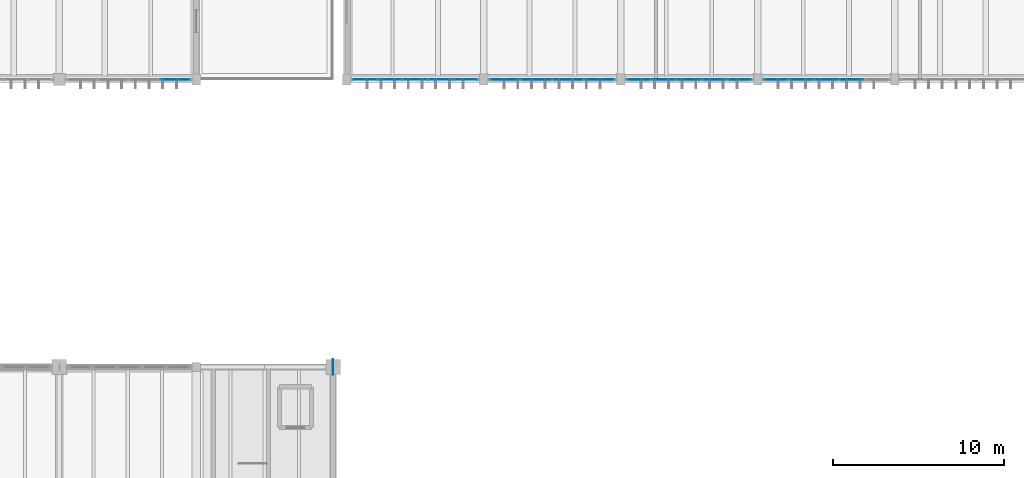
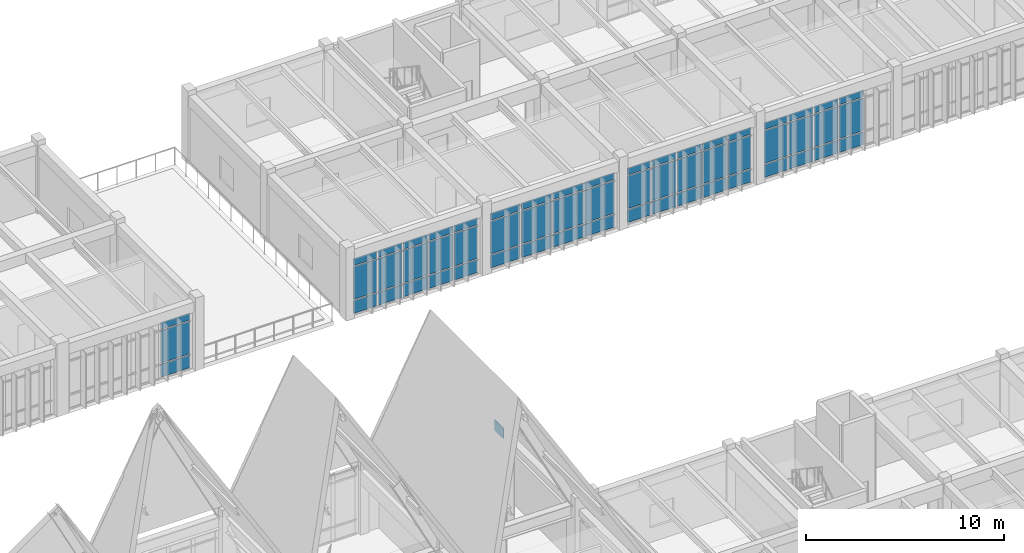
# One storey, part 38 of 72: 58 plates, 5 elements without a shape of their own.
"""IFC4 building model written with IfcOpenShell, lengths in metres."""

import ifcopenshell
import ifcopenshell.guid

model = None  # the IFC model being written
_history = None  # IfcOwnerHistory: only IFC2X3 demands one
_inside = {}  # id of a spatial element -> (the spatial element, [elements in it])
_under = {}  # id of a project, library or spatial element -> (it, [spatial elements below it])
_declared = {}  # id of a project -> (the project, [libraries it declares])
_typed = {}  # id of a type object -> (the type object, [elements of that type])
_made_of = {}  # id of a material, layer set ... -> (it, [elements and type objects made of it])


def new_model(schema):
    """Start an empty IFC model of exactly this schema.

    Asked for "IFC4X3", IfcOpenShell would pick the latest addendum, in which some entities
    have other attributes; the version numbers below select the first issue.
    IFC2X3 requires an IfcOwnerHistory on every rooted entity: one is made here for all.
    """
    global model, _history
    if schema == "IFC4X3":
        model = ifcopenshell.file(schema_version=(4, 3, 0, 0))
    else:
        model = ifcopenshell.file(schema=schema)
    _inside.clear()
    _under.clear()
    _declared.clear()
    _typed.clear()
    _made_of.clear()
    _history = None
    if model.schema == "IFC2X3":
        org = make("IfcOrganization", Name="unknown")
        user = make(
            "IfcPersonAndOrganization",
            ThePerson=make("IfcPerson", FamilyName="unknown"),
            TheOrganization=org,
        )
        app = make(
            "IfcApplication",
            ApplicationDeveloper=org,
            Version="unknown",
            ApplicationFullName="unknown",
            ApplicationIdentifier="unknown",
        )
        _history = make(
            "IfcOwnerHistory",
            OwningUser=user,
            OwningApplication=app,
            ChangeAction="ADDED",
            CreationDate=0,
        )
    return model


def make(cls, **values):
    """One entity of the class cls with the attributes given. An attribute that is None is left unset."""
    return model.create_entity(
        cls, **{name: value for name, value in values.items() if value is not None}
    )


def rooted(cls, **values):
    """An entity with a GlobalId (a new one), such as an element, a storey or a relation."""
    return make(cls, GlobalId=ifcopenshell.guid.new(), OwnerHistory=_history, **values)


def si_unit(unit_type, name, prefix=None):
    """IfcSIUnit, for example si_unit("LENGTHUNIT", "METRE", prefix="MILLI")."""
    return make("IfcSIUnit", UnitType=unit_type, Prefix=prefix, Name=name)


def assignment(units):
    """IfcUnitAssignment: the units of a project."""
    return None if units is None else make("IfcUnitAssignment", Units=units)


def point(xyz):
    """IfcCartesianPoint."""
    return None if xyz is None else make("IfcCartesianPoint", Coordinates=xyz)


def direction(xyz):
    """IfcDirection."""
    return None if xyz is None else make("IfcDirection", DirectionRatios=xyz)


def frame(location, z_axis=None, x_axis=None):
    """IfcAxis2Placement3D, a coordinate frame: its origin and axes. An axis left out is left unset."""
    return make(
        "IfcAxis2Placement3D",
        Location=point(location),
        Axis=direction(z_axis),
        RefDirection=direction(x_axis),
    )


def frame_2d(location, x_axis=None):
    """IfcAxis2Placement2D, a coordinate frame in the plane: its origin and x axis."""
    return make(
        "IfcAxis2Placement2D", Location=point(location), RefDirection=direction(x_axis)
    )


def origin():
    """The frame at (0, 0, 0) with its axes left unset."""
    return frame((0.0, 0.0, 0.0))


def origin_2d():
    """The frame at (0, 0) in the plane with its x axis left unset."""
    return frame_2d((0.0, 0.0))


def place(relative_to, where):
    """IfcLocalPlacement: puts the frame where relative to a parent placement (None: the world)."""
    return make(
        "IfcLocalPlacement", PlacementRelTo=relative_to, RelativePlacement=where
    )


def context(
    kind, dimensions, precision=None, world=None, true_north=None, identifier=None
):
    """IfcGeometricRepresentationContext, for example the 3D "Model" context."""
    return make(
        "IfcGeometricRepresentationContext",
        ContextIdentifier=identifier,
        ContextType=kind,
        CoordinateSpaceDimension=dimensions,
        Precision=precision,
        WorldCoordinateSystem=world,
        TrueNorth=true_north,
    )


def subcontext(parent, identifier, kind, view, scale=None):
    """IfcGeometricRepresentationSubContext, for example "Body" below "Model"."""
    return make(
        "IfcGeometricRepresentationSubContext",
        ContextIdentifier=identifier,
        ContextType=kind,
        ParentContext=parent,
        TargetScale=scale,
        TargetView=view,
    )


def project(units=None, contexts=None):
    """IfcProject with its units and contexts."""
    return rooted(
        "IfcProject",
        Name="project",
        RepresentationContexts=contexts,
        UnitsInContext=assignment(units),
    )


def spatial(cls, under=None, at=None, **own):
    """A site, building, storey or space (cls), placed at a placement, below another one or the project."""
    s = rooted(cls, ObjectPlacement=at, **own)
    if under is not None:
        _under.setdefault(under.id(), (under, []))[1].append(s)
    return s


def profile(cls, at=None, kind="AREA", **sizes):
    """A parametric profile (cls). Its sizes go by their IFC names, for example OverallWidth=200.0."""
    return make(cls, ProfileType=kind, Position=at, **sizes)


def rectangle(**sizes):
    """IfcRectangleProfileDef."""
    return profile("IfcRectangleProfileDef", **sizes)


def extrude(swept, where, along, depth):
    """IfcExtrudedAreaSolid: the profile swept, set in the frame where, extruded along a direction by depth."""
    return make(
        "IfcExtrudedAreaSolid",
        SweptArea=swept,
        Position=where,
        ExtrudedDirection=direction(along),
        Depth=depth,
    )


def shape(context_of_items, identifier, shape_type, items):
    """IfcShapeRepresentation: the items that make up one representation, for example the "Body"."""
    return make(
        "IfcShapeRepresentation",
        ContextOfItems=context_of_items,
        RepresentationIdentifier=identifier,
        RepresentationType=shape_type,
        Items=items,
    )


def material(Name=None, Category=None):
    """IfcMaterial."""
    return make("IfcMaterial", Name=Name, Category=Category)


def layer(
    of_material, thickness, ventilated=None, Name=None, Category=None, Priority=None
):
    """IfcMaterialLayer: one layer of a wall or slab, of a material (None: an air gap)."""
    return make(
        "IfcMaterialLayer",
        Material=of_material,
        LayerThickness=thickness,
        IsVentilated=ventilated,
        Name=Name,
        Category=Category,
        Priority=Priority,
    )


def layer_set(layers, Name=None):
    """IfcMaterialLayerSet."""
    return make("IfcMaterialLayerSet", MaterialLayers=layers, LayerSetName=Name)


def made_of(thing, what):
    """Note that an element or type object is made of a material, layer set ...; save() writes the relation."""
    if what is not None:
        _made_of.setdefault(what.id(), (what, []))[1].append(thing)
    return thing


def type_object(cls, material=None, **own):
    """A type object (cls), such as IfcWallType, which elements share."""
    return made_of(rooted(cls, **own), material)


def element(
    cls,
    number,
    at=None,
    inside=None,
    cuts=None,
    type_object=None,
    material=None,
    context=None,
    identifier="Body",
    shape_type=None,
    held_by="IfcProductDefinitionShape",
    body=None,
    shapes=None,
    **own,
):
    """One element of the class cls, such as IfcWall. Its Tag is "e" and its number.

    at: its placement. inside: the storey or other place that contains it. cuts: it is an
    opening in that element (IfcRelVoidsElement). A single representation is given by context,
    identifier, shape_type and body (its items); several are given by shapes. held_by: the class
    of the entity that holds the representations. save() writes the other relations.
    """
    e = rooted(cls, Tag="e%d" % number, ObjectPlacement=at, **own)
    if body is not None:
        shapes = [shape(context, identifier, shape_type, body)]
    if shapes is not None:
        e.Representation = make(held_by, Representations=shapes)
    if inside is not None:
        _inside.setdefault(inside.id(), (inside, []))[1].append(e)
    if cuts is not None:
        rooted(
            "IfcRelVoidsElement", RelatingBuildingElement=cuts, RelatedOpeningElement=e
        )
    if type_object is not None:
        _typed.setdefault(type_object.id(), (type_object, []))[1].append(e)
    return made_of(e, material)


def aggregate(whole, parts):
    """IfcRelAggregates: a whole, such as a stair, and the parts it consists of."""
    return rooted("IfcRelAggregates", RelatingObject=whole, RelatedObjects=parts)


def save(model, path):
    """Write the relations noted so far, then the file.

    IfcRelAggregates (storeys below a building ...), IfcRelContainedInSpatialStructure (elements
    in a storey), IfcRelDefinesByType, IfcRelAssociatesMaterial and IfcRelDeclares: one each for
    every whole, place, type object, material and project.
    """
    for whole, parts in _under.values():
        aggregate(whole, parts)
    for where, things in _inside.values():
        rooted(
            "IfcRelContainedInSpatialStructure",
            RelatedElements=things,
            RelatingStructure=where,
        )
    for kind, things in _typed.values():
        rooted("IfcRelDefinesByType", RelatedObjects=things, RelatingType=kind)
    for what, things in _made_of.values():
        rooted("IfcRelAssociatesMaterial", RelatedObjects=things, RelatingMaterial=what)
    for by, libraries in _declared.values():
        rooted("IfcRelDeclares", RelatingContext=by, RelatedDefinitions=libraries)
    model.write(path)


model = new_model("IFC4")

# Units and contexts
model_context = context("Model", 3, precision=1e-05, world=origin(), true_north=direction((0.0, 1.0)))
body_context = subcontext(model_context, "Body", "Model", "MODEL_VIEW")
ifc_project = project(units=[si_unit("LENGTHUNIT", "METRE"), si_unit("AREAUNIT", "SQUARE_METRE"), si_unit("VOLUMEUNIT", "CUBIC_METRE"), si_unit("PLANEANGLEUNIT", "RADIAN"), si_unit("MASSUNIT", "GRAM", prefix="KILO")], contexts=[model_context])

# Site, building, storey
site_placement = place(None, origin())
site = spatial("IfcSite", under=ifc_project, at=site_placement, CompositionType="ELEMENT")
building_placement = place(site_placement, origin())
building = spatial("IfcBuilding", under=site, at=building_placement, Name="Tlaxcora Railside Police Headquarters", CompositionType="ELEMENT")
storey_placement = place(building_placement, frame((0.0, 0.0, 13.5)))
storey = spatial("IfcBuildingStorey", under=building, at=storey_placement, Name="L03", CompositionType="ELEMENT", Elevation=13.5)

# Curtain wall, plates
ifc_material_1 = material(Name="Thermally broken low-E insulated glazing", Category="glass")
curtain_wall_type_1 = type_object("IfcCurtainWallType", Name="Unitised Curtain Wall Assembly CW-23", PredefinedType="NOTDEFINED", material=ifc_material_1)
curtain_wall_1_placement = place(storey_placement, origin())
curtain_wall_1 = element("IfcCurtainWall", 1, at=curtain_wall_1_placement, inside=storey, type_object=curtain_wall_type_1, Name="V6 L03 curtain wall 164", PredefinedType="NOTDEFINED")
ifc_layer_1 = layer(ifc_material_1, 0.0400390625, Name="Thermally broken low-E insulated glazing")
ifc_layer_set_1 = layer_set([ifc_layer_1], Name="Thermally broken low-E insulated glazing")
plate_type_1 = type_object("IfcPlateType", Name="Curtain Wall Infill Panel CW-17", PredefinedType="CURTAIN_PANEL", material=ifc_layer_set_1)
plate_1_placement = place(storey_placement, frame((119.860107421875, 76.800048828125, 0.080078125), z_axis=(0.0, 0.0, 1.0), x_axis=(1.0, 0.0, 0.0)))
plate_1 = element("IfcPlate", 2, at=plate_1_placement, type_object=plate_type_1, Name="CW panel 1.1", PredefinedType="CURTAIN_PANEL", context=body_context, shape_type="SweptSolid", body=[
    extrude(rectangle(XDim=1.360107421875, YDim=0.0400390625, at=origin_2d()), origin(), (0.0, 0.0, 1.0), 0.780029296875),
])
plate_2_placement = place(storey_placement, frame((119.860107421875, 76.800048828125, 0.93994140625), z_axis=(0.0, 0.0, 1.0), x_axis=(1.0, 0.0, 0.0)))
plate_2 = element("IfcPlate", 3, at=plate_2_placement, type_object=plate_type_1, Name="CW panel 1.2", PredefinedType="CURTAIN_PANEL", context=body_context, shape_type="SweptSolid", body=[
    extrude(rectangle(XDim=1.360107421875, YDim=0.0400390625, at=origin_2d()), origin(), (0.0, 0.0, 1.0), 2.010009765625),
])
plate_3_placement = place(storey_placement, frame((119.860107421875, 76.800048828125, 3.0302734375), z_axis=(0.0, 0.0, 1.0), x_axis=(1.0, 0.0, 0.0)))
plate_3 = element("IfcPlate", 4, at=plate_3_placement, type_object=plate_type_1, Name="CW panel 1.3", PredefinedType="CURTAIN_PANEL", context=body_context, shape_type="SweptSolid", body=[
    extrude(rectangle(XDim=1.360107421875, YDim=0.0400390625, at=origin_2d()), origin(), (0.0, 0.0, 1.0), 0.409912109375),
])
plate_4_placement = place(storey_placement, frame((121.320068359375, 76.800048828125, 0.080078125), z_axis=(0.0, 0.0, 1.0), x_axis=(1.0, 0.0, 0.0)))
plate_4 = element("IfcPlate", 5, at=plate_4_placement, type_object=plate_type_1, Name="CW panel 2.1", PredefinedType="CURTAIN_PANEL", context=body_context, shape_type="SweptSolid", body=[
    extrude(rectangle(XDim=1.39990234375, YDim=0.0400390625, at=origin_2d()), origin(), (0.0, 0.0, 1.0), 0.780029296875),
])
plate_5_placement = place(storey_placement, frame((121.320068359375, 76.800048828125, 0.93994140625), z_axis=(0.0, 0.0, 1.0), x_axis=(1.0, 0.0, 0.0)))
plate_5 = element("IfcPlate", 6, at=plate_5_placement, type_object=plate_type_1, Name="CW panel 2.2", PredefinedType="CURTAIN_PANEL", context=body_context, shape_type="SweptSolid", body=[
    extrude(rectangle(XDim=1.39990234375, YDim=0.0400390625, at=origin_2d()), origin(), (0.0, 0.0, 1.0), 2.010009765625),
])
plate_6_placement = place(storey_placement, frame((121.320068359375, 76.800048828125, 3.0302734375), z_axis=(0.0, 0.0, 1.0), x_axis=(1.0, 0.0, 0.0)))
plate_6 = element("IfcPlate", 7, at=plate_6_placement, type_object=plate_type_1, Name="CW panel 2.3", PredefinedType="CURTAIN_PANEL", context=body_context, shape_type="SweptSolid", body=[
    extrude(rectangle(XDim=1.39990234375, YDim=0.0400390625, at=origin_2d()), origin(), (0.0, 0.0, 1.0), 0.409912109375),
])
plate_7_placement = place(storey_placement, frame((122.800048828125, 76.800048828125, 0.080078125), z_axis=(0.0, 0.0, 1.0), x_axis=(1.0, 0.0, 0.0)))
plate_7 = element("IfcPlate", 8, at=plate_7_placement, type_object=plate_type_1, Name="CW panel 3.1", PredefinedType="CURTAIN_PANEL", context=body_context, shape_type="SweptSolid", body=[
    extrude(rectangle(XDim=1.39990234375, YDim=0.0400390625, at=origin_2d()), origin(), (0.0, 0.0, 1.0), 0.780029296875),
])
plate_8_placement = place(storey_placement, frame((122.800048828125, 76.800048828125, 0.93994140625), z_axis=(0.0, 0.0, 1.0), x_axis=(1.0, 0.0, 0.0)))
plate_8 = element("IfcPlate", 9, at=plate_8_placement, type_object=plate_type_1, Name="CW panel 3.2", PredefinedType="CURTAIN_PANEL", context=body_context, shape_type="SweptSolid", body=[
    extrude(rectangle(XDim=1.39990234375, YDim=0.0400390625, at=origin_2d()), origin(), (0.0, 0.0, 1.0), 2.010009765625),
])
plate_9_placement = place(storey_placement, frame((122.800048828125, 76.800048828125, 3.0302734375), z_axis=(0.0, 0.0, 1.0), x_axis=(1.0, 0.0, 0.0)))
plate_9 = element("IfcPlate", 10, at=plate_9_placement, type_object=plate_type_1, Name="CW panel 3.3", PredefinedType="CURTAIN_PANEL", context=body_context, shape_type="SweptSolid", body=[
    extrude(rectangle(XDim=1.39990234375, YDim=0.0400390625, at=origin_2d()), origin(), (0.0, 0.0, 1.0), 0.409912109375),
])
plate_10_placement = place(storey_placement, frame((124.280029296875, 76.800048828125, 0.080078125), z_axis=(0.0, 0.0, 1.0), x_axis=(1.0, 0.0, 0.0)))
plate_10 = element("IfcPlate", 11, at=plate_10_placement, type_object=plate_type_1, Name="CW panel 4.1", PredefinedType="CURTAIN_PANEL", context=body_context, shape_type="SweptSolid", body=[
    extrude(rectangle(XDim=1.39990234375, YDim=0.0400390625, at=origin_2d()), origin(), (0.0, 0.0, 1.0), 0.780029296875),
])
plate_11_placement = place(storey_placement, frame((124.280029296875, 76.800048828125, 0.93994140625), z_axis=(0.0, 0.0, 1.0), x_axis=(1.0, 0.0, 0.0)))
plate_11 = element("IfcPlate", 12, at=plate_11_placement, type_object=plate_type_1, Name="CW panel 4.2", PredefinedType="CURTAIN_PANEL", context=body_context, shape_type="SweptSolid", body=[
    extrude(rectangle(XDim=1.39990234375, YDim=0.0400390625, at=origin_2d()), origin(), (0.0, 0.0, 1.0), 2.010009765625),
])
plate_12_placement = place(storey_placement, frame((124.280029296875, 76.800048828125, 3.0302734375), z_axis=(0.0, 0.0, 1.0), x_axis=(1.0, 0.0, 0.0)))
plate_12 = element("IfcPlate", 13, at=plate_12_placement, type_object=plate_type_1, Name="CW panel 4.3", PredefinedType="CURTAIN_PANEL", context=body_context, shape_type="SweptSolid", body=[
    extrude(rectangle(XDim=1.39990234375, YDim=0.0400390625, at=origin_2d()), origin(), (0.0, 0.0, 1.0), 0.409912109375),
])
plate_13_placement = place(storey_placement, frame((125.739990234375, 76.800048828125, 0.080078125), z_axis=(0.0, 0.0, 1.0), x_axis=(1.0, 0.0, 0.0)))
plate_13 = element("IfcPlate", 14, at=plate_13_placement, type_object=plate_type_1, Name="CW panel 5.1", PredefinedType="CURTAIN_PANEL", context=body_context, shape_type="SweptSolid", body=[
    extrude(rectangle(XDim=1.360107421875, YDim=0.0400390625, at=origin_2d()), origin(), (0.0, 0.0, 1.0), 0.780029296875),
])
plate_14_placement = place(storey_placement, frame((125.739990234375, 76.800048828125, 0.93994140625), z_axis=(0.0, 0.0, 1.0), x_axis=(1.0, 0.0, 0.0)))
plate_14 = element("IfcPlate", 15, at=plate_14_placement, type_object=plate_type_1, Name="CW panel 5.2", PredefinedType="CURTAIN_PANEL", context=body_context, shape_type="SweptSolid", body=[
    extrude(rectangle(XDim=1.360107421875, YDim=0.0400390625, at=origin_2d()), origin(), (0.0, 0.0, 1.0), 2.010009765625),
])
plate_15_placement = place(storey_placement, frame((125.739990234375, 76.800048828125, 3.0302734375), z_axis=(0.0, 0.0, 1.0), x_axis=(1.0, 0.0, 0.0)))
plate_15 = element("IfcPlate", 16, at=plate_15_placement, type_object=plate_type_1, Name="CW panel 5.3", PredefinedType="CURTAIN_PANEL", context=body_context, shape_type="SweptSolid", body=[
    extrude(rectangle(XDim=1.360107421875, YDim=0.0400390625, at=origin_2d()), origin(), (0.0, 0.0, 1.0), 0.409912109375),
])
aggregate(curtain_wall_1, [plate_1, plate_2, plate_3, plate_4, plate_5, plate_6, plate_7, plate_8, plate_9, plate_10, plate_11, plate_12, plate_13, plate_14, plate_15])

curtain_wall_type_2 = type_object("IfcCurtainWallType", Name="Unitised Curtain Wall Assembly CW-15", PredefinedType="NOTDEFINED", material=ifc_material_1)
curtain_wall_2_placement = place(storey_placement, origin())
curtain_wall_2 = element("IfcCurtainWall", 17, at=curtain_wall_2_placement, inside=storey, type_object=curtain_wall_type_2, Name="V6 L03 curtain wall 162", PredefinedType="NOTDEFINED")
ifc_layer_2 = layer(ifc_material_1, 0.031982421875, Name="Thermally broken low-E insulated glazing")
ifc_layer_set_2 = layer_set([ifc_layer_2], Name="Thermally broken low-E insulated glazing")
plate_type_2 = type_object("IfcPlateType", Name="Curtain Wall Infill Panel CW-41", PredefinedType="CURTAIN_PANEL", material=ifc_layer_set_2)
plate_16_placement = place(storey_placement, frame((103.858642578125, 76.800048828125, 0.074951171875), z_axis=(0.0, 0.0, 1.0), x_axis=(1.0, 0.0, 0.0)))
plate_16 = element("IfcPlate", 18, at=plate_16_placement, type_object=plate_type_2, Name="CW panel 1.1", PredefinedType="CURTAIN_PANEL", context=body_context, shape_type="SweptSolid", body=[
    extrude(rectangle(XDim=1.367431640625, YDim=0.031982421875, at=origin_2d()), origin(), (0.0, 0.0, 1.0), 0.78759765625),
])
plate_17_placement = place(storey_placement, frame((103.858642578125, 76.800048828125, 0.9375), z_axis=(0.0, 0.0, 1.0), x_axis=(1.0, 0.0, 0.0)))
plate_17 = element("IfcPlate", 19, at=plate_17_placement, type_object=plate_type_2, Name="CW panel 1.2", PredefinedType="CURTAIN_PANEL", context=body_context, shape_type="SweptSolid", body=[
    extrude(rectangle(XDim=1.367431640625, YDim=0.031982421875, at=origin_2d()), origin(), (0.0, 0.0, 1.0), 2.014892578125),
])
plate_18_placement = place(storey_placement, frame((103.858642578125, 76.800048828125, 3.027587890625), z_axis=(0.0, 0.0, 1.0), x_axis=(1.0, 0.0, 0.0)))
plate_18 = element("IfcPlate", 20, at=plate_18_placement, type_object=plate_type_2, Name="CW panel 1.3", PredefinedType="CURTAIN_PANEL", context=body_context, shape_type="SweptSolid", body=[
    extrude(rectangle(XDim=1.367431640625, YDim=0.031982421875, at=origin_2d()), origin(), (0.0, 0.0, 1.0), 0.41748046875),
])
plate_19_placement = place(storey_placement, frame((105.320068359375, 76.800048828125, 0.074951171875), z_axis=(0.0, 0.0, 1.0), x_axis=(1.0, 0.0, 0.0)))
plate_19 = element("IfcPlate", 21, at=plate_19_placement, type_object=plate_type_2, Name="CW panel 2.1", PredefinedType="CURTAIN_PANEL", context=body_context, shape_type="SweptSolid", body=[
    extrude(rectangle(XDim=1.405029296875, YDim=0.031982421875, at=origin_2d()), origin(), (0.0, 0.0, 1.0), 0.78759765625),
])
plate_20_placement = place(storey_placement, frame((105.320068359375, 76.800048828125, 0.9375), z_axis=(0.0, 0.0, 1.0), x_axis=(1.0, 0.0, 0.0)))
plate_20 = element("IfcPlate", 22, at=plate_20_placement, type_object=plate_type_2, Name="CW panel 2.2", PredefinedType="CURTAIN_PANEL", context=body_context, shape_type="SweptSolid", body=[
    extrude(rectangle(XDim=1.405029296875, YDim=0.031982421875, at=origin_2d()), origin(), (0.0, 0.0, 1.0), 2.014892578125),
])
plate_21_placement = place(storey_placement, frame((105.320068359375, 76.800048828125, 3.027587890625), z_axis=(0.0, 0.0, 1.0), x_axis=(1.0, 0.0, 0.0)))
plate_21 = element("IfcPlate", 23, at=plate_21_placement, type_object=plate_type_2, Name="CW panel 2.3", PredefinedType="CURTAIN_PANEL", context=body_context, shape_type="SweptSolid", body=[
    extrude(rectangle(XDim=1.405029296875, YDim=0.031982421875, at=origin_2d()), origin(), (0.0, 0.0, 1.0), 0.41748046875),
])
plate_22_placement = place(storey_placement, frame((106.800048828125, 76.800048828125, 0.074951171875), z_axis=(0.0, 0.0, 1.0), x_axis=(1.0, 0.0, 0.0)))
plate_22 = element("IfcPlate", 24, at=plate_22_placement, type_object=plate_type_2, Name="CW panel 3.1", PredefinedType="CURTAIN_PANEL", context=body_context, shape_type="SweptSolid", body=[
    extrude(rectangle(XDim=1.405029296875, YDim=0.031982421875, at=origin_2d()), origin(), (0.0, 0.0, 1.0), 0.78759765625),
])
plate_23_placement = place(storey_placement, frame((106.800048828125, 76.800048828125, 0.9375), z_axis=(0.0, 0.0, 1.0), x_axis=(1.0, 0.0, 0.0)))
plate_23 = element("IfcPlate", 25, at=plate_23_placement, type_object=plate_type_2, Name="CW panel 3.2", PredefinedType="CURTAIN_PANEL", context=body_context, shape_type="SweptSolid", body=[
    extrude(rectangle(XDim=1.405029296875, YDim=0.031982421875, at=origin_2d()), origin(), (0.0, 0.0, 1.0), 2.014892578125),
])
plate_24_placement = place(storey_placement, frame((106.800048828125, 76.800048828125, 3.027587890625), z_axis=(0.0, 0.0, 1.0), x_axis=(1.0, 0.0, 0.0)))
plate_24 = element("IfcPlate", 26, at=plate_24_placement, type_object=plate_type_2, Name="CW panel 3.3", PredefinedType="CURTAIN_PANEL", context=body_context, shape_type="SweptSolid", body=[
    extrude(rectangle(XDim=1.405029296875, YDim=0.031982421875, at=origin_2d()), origin(), (0.0, 0.0, 1.0), 0.41748046875),
])
plate_25_placement = place(storey_placement, frame((108.280029296875, 76.800048828125, 0.074951171875), z_axis=(0.0, 0.0, 1.0), x_axis=(1.0, 0.0, 0.0)))
plate_25 = element("IfcPlate", 27, at=plate_25_placement, type_object=plate_type_2, Name="CW panel 4.1", PredefinedType="CURTAIN_PANEL", context=body_context, shape_type="SweptSolid", body=[
    extrude(rectangle(XDim=1.405029296875, YDim=0.031982421875, at=origin_2d()), origin(), (0.0, 0.0, 1.0), 0.78759765625),
])
plate_26_placement = place(storey_placement, frame((108.280029296875, 76.800048828125, 0.9375), z_axis=(0.0, 0.0, 1.0), x_axis=(1.0, 0.0, 0.0)))
plate_26 = element("IfcPlate", 28, at=plate_26_placement, type_object=plate_type_2, Name="CW panel 4.2", PredefinedType="CURTAIN_PANEL", context=body_context, shape_type="SweptSolid", body=[
    extrude(rectangle(XDim=1.405029296875, YDim=0.031982421875, at=origin_2d()), origin(), (0.0, 0.0, 1.0), 2.014892578125),
])
plate_27_placement = place(storey_placement, frame((108.280029296875, 76.800048828125, 3.027587890625), z_axis=(0.0, 0.0, 1.0), x_axis=(1.0, 0.0, 0.0)))
plate_27 = element("IfcPlate", 29, at=plate_27_placement, type_object=plate_type_2, Name="CW panel 4.3", PredefinedType="CURTAIN_PANEL", context=body_context, shape_type="SweptSolid", body=[
    extrude(rectangle(XDim=1.405029296875, YDim=0.031982421875, at=origin_2d()), origin(), (0.0, 0.0, 1.0), 0.41748046875),
])
plate_28_placement = place(storey_placement, frame((109.7412109375, 76.800048828125, 0.074951171875), z_axis=(0.0, 0.0, 1.0), x_axis=(1.0, 0.0, 0.0)))
plate_28 = element("IfcPlate", 30, at=plate_28_placement, type_object=plate_type_2, Name="CW panel 5.1", PredefinedType="CURTAIN_PANEL", context=body_context, shape_type="SweptSolid", body=[
    extrude(rectangle(XDim=1.367431640625, YDim=0.031982421875, at=origin_2d()), origin(), (0.0, 0.0, 1.0), 0.78759765625),
])
plate_29_placement = place(storey_placement, frame((109.7412109375, 76.800048828125, 0.9375), z_axis=(0.0, 0.0, 1.0), x_axis=(1.0, 0.0, 0.0)))
plate_29 = element("IfcPlate", 31, at=plate_29_placement, type_object=plate_type_2, Name="CW panel 5.2", PredefinedType="CURTAIN_PANEL", context=body_context, shape_type="SweptSolid", body=[
    extrude(rectangle(XDim=1.367431640625, YDim=0.031982421875, at=origin_2d()), origin(), (0.0, 0.0, 1.0), 2.014892578125),
])
plate_30_placement = place(storey_placement, frame((109.7412109375, 76.800048828125, 3.027587890625), z_axis=(0.0, 0.0, 1.0), x_axis=(1.0, 0.0, 0.0)))
plate_30 = element("IfcPlate", 32, at=plate_30_placement, type_object=plate_type_2, Name="CW panel 5.3", PredefinedType="CURTAIN_PANEL", context=body_context, shape_type="SweptSolid", body=[
    extrude(rectangle(XDim=1.367431640625, YDim=0.031982421875, at=origin_2d()), origin(), (0.0, 0.0, 1.0), 0.41748046875),
])
aggregate(curtain_wall_2, [plate_16, plate_17, plate_18, plate_19, plate_20, plate_21, plate_22, plate_23, plate_24, plate_25, plate_26, plate_27, plate_28, plate_29, plate_30])

curtain_wall_type_3 = type_object("IfcCurtainWallType", Name="Unitised Curtain Wall Assembly CW-83", PredefinedType="NOTDEFINED", material=ifc_material_1)
curtain_wall_3_placement = place(storey_placement, origin())
curtain_wall_3 = element("IfcCurtainWall", 33, at=curtain_wall_3_placement, inside=storey, type_object=curtain_wall_type_3, Name="V5 L03 curtain wall 79", PredefinedType="NOTDEFINED")
ifc_layer_3 = layer(ifc_material_1, 0.035888671875, Name="Thermally broken low-E insulated glazing")
ifc_layer_set_3 = layer_set([ifc_layer_3], Name="Thermally broken low-E insulated glazing")
plate_type_3 = type_object("IfcPlateType", Name="Curtain Wall Infill Panel CW-72", PredefinedType="CURTAIN_PANEL", material=ifc_layer_set_3)
plate_31_placement = place(storey_placement, frame((92.767578125, 76.800048828125, 0.080078125), z_axis=(0.0, 0.0, 1.0), x_axis=(1.0, 0.0, 0.0)))
plate_31 = element("IfcPlate", 34, at=plate_31_placement, type_object=plate_type_3, Name="CW panel 4.1", PredefinedType="CURTAIN_PANEL", context=body_context, shape_type="SweptSolid", body=[
    extrude(rectangle(XDim=1.705078125, YDim=0.035888671875, at=origin_2d()), origin(), (0.0, 0.0, 1.0), 0.780029296875),
])
plate_32_placement = place(storey_placement, frame((92.767578125, 76.800048828125, 0.93994140625), z_axis=(0.0, 0.0, 1.0), x_axis=(1.0, 0.0, 0.0)))
plate_32 = element("IfcPlate", 35, at=plate_32_placement, type_object=plate_type_3, Name="CW panel 4.2", PredefinedType="CURTAIN_PANEL", context=body_context, shape_type="SweptSolid", body=[
    extrude(rectangle(XDim=1.705078125, YDim=0.035888671875, at=origin_2d()), origin(), (0.0, 0.0, 1.0), 2.010009765625),
])
plate_33_placement = place(storey_placement, frame((92.767578125, 76.800048828125, 3.0302734375), z_axis=(0.0, 0.0, 1.0), x_axis=(1.0, 0.0, 0.0)))
plate_33 = element("IfcPlate", 36, at=plate_33_placement, type_object=plate_type_3, Name="CW panel 4.3", PredefinedType="CURTAIN_PANEL", context=body_context, shape_type="SweptSolid", body=[
    extrude(rectangle(XDim=1.705078125, YDim=0.035888671875, at=origin_2d()), origin(), (0.0, 0.0, 1.0), 0.409912109375),
])
aggregate(curtain_wall_3, [plate_31, plate_32, plate_33])

curtain_wall_4_placement = place(storey_placement, origin())
curtain_wall_4 = element("IfcCurtainWall", 37, at=curtain_wall_4_placement, inside=storey, type_object=curtain_wall_type_3, Name="V6 L03 curtain wall 163", PredefinedType="NOTDEFINED")
plate_34_placement = place(storey_placement, frame((112.044921875, 76.800048828125, 0.080078125), z_axis=(0.0, 0.0, 1.0), x_axis=(1.0, 0.0, 0.0)))
plate_34 = element("IfcPlate", 38, at=plate_34_placement, type_object=plate_type_3, Name="CW panel 1.1", PredefinedType="CURTAIN_PANEL", context=body_context, shape_type="SweptSolid", body=[
    extrude(rectangle(XDim=1.72998046875, YDim=0.035888671875, at=origin_2d()), origin(), (0.0, 0.0, 1.0), 0.780029296875),
])
plate_35_placement = place(storey_placement, frame((112.044921875, 76.800048828125, 0.93994140625), z_axis=(0.0, 0.0, 1.0), x_axis=(1.0, 0.0, 0.0)))
plate_35 = element("IfcPlate", 39, at=plate_35_placement, type_object=plate_type_3, Name="CW panel 1.2", PredefinedType="CURTAIN_PANEL", context=body_context, shape_type="SweptSolid", body=[
    extrude(rectangle(XDim=1.72998046875, YDim=0.035888671875, at=origin_2d()), origin(), (0.0, 0.0, 1.0), 2.010009765625),
])
plate_36_placement = place(storey_placement, frame((112.044921875, 76.800048828125, 3.0302734375), z_axis=(0.0, 0.0, 1.0), x_axis=(1.0, 0.0, 0.0)))
plate_36 = element("IfcPlate", 40, at=plate_36_placement, type_object=plate_type_3, Name="CW panel 1.3", PredefinedType="CURTAIN_PANEL", context=body_context, shape_type="SweptSolid", body=[
    extrude(rectangle(XDim=1.72998046875, YDim=0.035888671875, at=origin_2d()), origin(), (0.0, 0.0, 1.0), 0.409912109375),
])
plate_37_placement = place(storey_placement, frame((113.875, 76.800048828125, 0.080078125), z_axis=(0.0, 0.0, 1.0), x_axis=(1.0, 0.0, 0.0)))
plate_37 = element("IfcPlate", 41, at=plate_37_placement, type_object=plate_type_3, Name="CW panel 2.1", PredefinedType="CURTAIN_PANEL", context=body_context, shape_type="SweptSolid", body=[
    extrude(rectangle(XDim=1.77001953125, YDim=0.035888671875, at=origin_2d()), origin(), (0.0, 0.0, 1.0), 0.780029296875),
])
plate_38_placement = place(storey_placement, frame((113.875, 76.800048828125, 0.93994140625), z_axis=(0.0, 0.0, 1.0), x_axis=(1.0, 0.0, 0.0)))
plate_38 = element("IfcPlate", 42, at=plate_38_placement, type_object=plate_type_3, Name="CW panel 2.2", PredefinedType="CURTAIN_PANEL", context=body_context, shape_type="SweptSolid", body=[
    extrude(rectangle(XDim=1.77001953125, YDim=0.035888671875, at=origin_2d()), origin(), (0.0, 0.0, 1.0), 2.010009765625),
])
plate_39_placement = place(storey_placement, frame((113.875, 76.800048828125, 3.0302734375), z_axis=(0.0, 0.0, 1.0), x_axis=(1.0, 0.0, 0.0)))
plate_39 = element("IfcPlate", 43, at=plate_39_placement, type_object=plate_type_3, Name="CW panel 2.3", PredefinedType="CURTAIN_PANEL", context=body_context, shape_type="SweptSolid", body=[
    extrude(rectangle(XDim=1.77001953125, YDim=0.035888671875, at=origin_2d()), origin(), (0.0, 0.0, 1.0), 0.409912109375),
])
plate_40_placement = place(storey_placement, frame((115.72509765625, 76.800048828125, 0.080078125), z_axis=(0.0, 0.0, 1.0), x_axis=(1.0, 0.0, 0.0)))
plate_40 = element("IfcPlate", 44, at=plate_40_placement, type_object=plate_type_3, Name="CW panel 3.1", PredefinedType="CURTAIN_PANEL", context=body_context, shape_type="SweptSolid", body=[
    extrude(rectangle(XDim=1.77001953125, YDim=0.035888671875, at=origin_2d()), origin(), (0.0, 0.0, 1.0), 0.780029296875),
])
plate_41_placement = place(storey_placement, frame((115.72509765625, 76.800048828125, 0.93994140625), z_axis=(0.0, 0.0, 1.0), x_axis=(1.0, 0.0, 0.0)))
plate_41 = element("IfcPlate", 45, at=plate_41_placement, type_object=plate_type_3, Name="CW panel 3.2", PredefinedType="CURTAIN_PANEL", context=body_context, shape_type="SweptSolid", body=[
    extrude(rectangle(XDim=1.77001953125, YDim=0.035888671875, at=origin_2d()), origin(), (0.0, 0.0, 1.0), 2.010009765625),
])
plate_42_placement = place(storey_placement, frame((115.72509765625, 76.800048828125, 3.0302734375), z_axis=(0.0, 0.0, 1.0), x_axis=(1.0, 0.0, 0.0)))
plate_42 = element("IfcPlate", 46, at=plate_42_placement, type_object=plate_type_3, Name="CW panel 3.3", PredefinedType="CURTAIN_PANEL", context=body_context, shape_type="SweptSolid", body=[
    extrude(rectangle(XDim=1.77001953125, YDim=0.035888671875, at=origin_2d()), origin(), (0.0, 0.0, 1.0), 0.409912109375),
])
plate_43_placement = place(storey_placement, frame((117.554931640625, 76.800048828125, 0.080078125), z_axis=(0.0, 0.0, 1.0), x_axis=(1.0, 0.0, 0.0)))
plate_43 = element("IfcPlate", 47, at=plate_43_placement, type_object=plate_type_3, Name="CW panel 4.1", PredefinedType="CURTAIN_PANEL", context=body_context, shape_type="SweptSolid", body=[
    extrude(rectangle(XDim=1.72998046875, YDim=0.035888671875, at=origin_2d()), origin(), (0.0, 0.0, 1.0), 0.780029296875),
])
plate_44_placement = place(storey_placement, frame((117.554931640625, 76.800048828125, 0.93994140625), z_axis=(0.0, 0.0, 1.0), x_axis=(1.0, 0.0, 0.0)))
plate_44 = element("IfcPlate", 48, at=plate_44_placement, type_object=plate_type_3, Name="CW panel 4.2", PredefinedType="CURTAIN_PANEL", context=body_context, shape_type="SweptSolid", body=[
    extrude(rectangle(XDim=1.72998046875, YDim=0.035888671875, at=origin_2d()), origin(), (0.0, 0.0, 1.0), 2.010009765625),
])
plate_45_placement = place(storey_placement, frame((117.554931640625, 76.800048828125, 3.0302734375), z_axis=(0.0, 0.0, 1.0), x_axis=(1.0, 0.0, 0.0)))
plate_45 = element("IfcPlate", 49, at=plate_45_placement, type_object=plate_type_3, Name="CW panel 4.3", PredefinedType="CURTAIN_PANEL", context=body_context, shape_type="SweptSolid", body=[
    extrude(rectangle(XDim=1.72998046875, YDim=0.035888671875, at=origin_2d()), origin(), (0.0, 0.0, 1.0), 0.409912109375),
])
aggregate(curtain_wall_4, [plate_34, plate_35, plate_36, plate_37, plate_38, plate_39, plate_40, plate_41, plate_42, plate_43, plate_44, plate_45])

curtain_wall_type_4 = type_object("IfcCurtainWallType", Name="Unitised Curtain Wall Assembly CW-38", PredefinedType="NOTDEFINED", material=ifc_material_1)
curtain_wall_5_placement = place(storey_placement, origin())
curtain_wall_5 = element("IfcCurtainWall", 50, at=curtain_wall_5_placement, inside=storey, type_object=curtain_wall_type_4, Name="V6 L03 curtain wall 165", PredefinedType="NOTDEFINED")
ifc_layer_4 = layer(ifc_material_1, 0.028076171875, Name="Thermally broken low-E insulated glazing")
ifc_layer_set_4 = layer_set([ifc_layer_4], Name="Thermally broken low-E insulated glazing")
plate_type_4 = type_object("IfcPlateType", Name="Curtain Wall Infill Panel CW-92", PredefinedType="CURTAIN_PANEL", material=ifc_layer_set_4)
plate_46_placement = place(storey_placement, frame((127.858642578125, 76.800048828125, 0.074951171875), z_axis=(0.0, 0.0, 1.0), x_axis=(1.0, 0.0, 0.0)))
plate_46 = element("IfcPlate", 51, at=plate_46_placement, type_object=plate_type_4, Name="CW panel 1.1", PredefinedType="CURTAIN_PANEL", context=body_context, shape_type="SweptSolid", body=[
    extrude(rectangle(XDim=1.367431640625, YDim=0.028076171875, at=origin_2d()), origin(), (0.0, 0.0, 1.0), 0.78759765625),
])
plate_47_placement = place(storey_placement, frame((127.858642578125, 76.800048828125, 0.9375), z_axis=(0.0, 0.0, 1.0), x_axis=(1.0, 0.0, 0.0)))
plate_47 = element("IfcPlate", 52, at=plate_47_placement, type_object=plate_type_4, Name="CW panel 1.2", PredefinedType="CURTAIN_PANEL", context=body_context, shape_type="SweptSolid", body=[
    extrude(rectangle(XDim=1.367431640625, YDim=0.028076171875, at=origin_2d()), origin(), (0.0, 0.0, 1.0), 2.014892578125),
])
plate_48_placement = place(storey_placement, frame((127.858642578125, 76.800048828125, 3.027587890625), z_axis=(0.0, 0.0, 1.0), x_axis=(1.0, 0.0, 0.0)))
plate_48 = element("IfcPlate", 53, at=plate_48_placement, type_object=plate_type_4, Name="CW panel 1.3", PredefinedType="CURTAIN_PANEL", context=body_context, shape_type="SweptSolid", body=[
    extrude(rectangle(XDim=1.367431640625, YDim=0.028076171875, at=origin_2d()), origin(), (0.0, 0.0, 1.0), 0.41748046875),
])
plate_49_placement = place(storey_placement, frame((129.320068359375, 76.800048828125, 0.074951171875), z_axis=(0.0, 0.0, 1.0), x_axis=(1.0, 0.0, 0.0)))
plate_49 = element("IfcPlate", 54, at=plate_49_placement, type_object=plate_type_4, Name="CW panel 2.1", PredefinedType="CURTAIN_PANEL", context=body_context, shape_type="SweptSolid", body=[
    extrude(rectangle(XDim=1.405029296875, YDim=0.028076171875, at=origin_2d()), origin(), (0.0, 0.0, 1.0), 0.78759765625),
])
plate_50_placement = place(storey_placement, frame((129.320068359375, 76.800048828125, 0.9375), z_axis=(0.0, 0.0, 1.0), x_axis=(1.0, 0.0, 0.0)))
plate_50 = element("IfcPlate", 55, at=plate_50_placement, type_object=plate_type_4, Name="CW panel 2.2", PredefinedType="CURTAIN_PANEL", context=body_context, shape_type="SweptSolid", body=[
    extrude(rectangle(XDim=1.405029296875, YDim=0.028076171875, at=origin_2d()), origin(), (0.0, 0.0, 1.0), 2.014892578125),
])
plate_51_placement = place(storey_placement, frame((129.320068359375, 76.800048828125, 3.027587890625), z_axis=(0.0, 0.0, 1.0), x_axis=(1.0, 0.0, 0.0)))
plate_51 = element("IfcPlate", 56, at=plate_51_placement, type_object=plate_type_4, Name="CW panel 2.3", PredefinedType="CURTAIN_PANEL", context=body_context, shape_type="SweptSolid", body=[
    extrude(rectangle(XDim=1.405029296875, YDim=0.028076171875, at=origin_2d()), origin(), (0.0, 0.0, 1.0), 0.41748046875),
])
plate_52_placement = place(storey_placement, frame((130.800048828125, 76.800048828125, 0.074951171875), z_axis=(0.0, 0.0, 1.0), x_axis=(1.0, 0.0, 0.0)))
plate_52 = element("IfcPlate", 57, at=plate_52_placement, type_object=plate_type_4, Name="CW panel 3.1", PredefinedType="CURTAIN_PANEL", context=body_context, shape_type="SweptSolid", body=[
    extrude(rectangle(XDim=1.405029296875, YDim=0.028076171875, at=origin_2d()), origin(), (0.0, 0.0, 1.0), 0.78759765625),
])
plate_53_placement = place(storey_placement, frame((130.800048828125, 76.800048828125, 0.9375), z_axis=(0.0, 0.0, 1.0), x_axis=(1.0, 0.0, 0.0)))
plate_53 = element("IfcPlate", 58, at=plate_53_placement, type_object=plate_type_4, Name="CW panel 3.2", PredefinedType="CURTAIN_PANEL", context=body_context, shape_type="SweptSolid", body=[
    extrude(rectangle(XDim=1.405029296875, YDim=0.028076171875, at=origin_2d()), origin(), (0.0, 0.0, 1.0), 2.014892578125),
])
plate_54_placement = place(storey_placement, frame((130.800048828125, 76.800048828125, 3.027587890625), z_axis=(0.0, 0.0, 1.0), x_axis=(1.0, 0.0, 0.0)))
plate_54 = element("IfcPlate", 59, at=plate_54_placement, type_object=plate_type_4, Name="CW panel 3.3", PredefinedType="CURTAIN_PANEL", context=body_context, shape_type="SweptSolid", body=[
    extrude(rectangle(XDim=1.405029296875, YDim=0.028076171875, at=origin_2d()), origin(), (0.0, 0.0, 1.0), 0.41748046875),
])
plate_55_placement = place(storey_placement, frame((132.280029296875, 76.800048828125, 0.074951171875), z_axis=(0.0, 0.0, 1.0), x_axis=(1.0, 0.0, 0.0)))
plate_55 = element("IfcPlate", 60, at=plate_55_placement, type_object=plate_type_4, Name="CW panel 4.1", PredefinedType="CURTAIN_PANEL", context=body_context, shape_type="SweptSolid", body=[
    extrude(rectangle(XDim=1.405029296875, YDim=0.028076171875, at=origin_2d()), origin(), (0.0, 0.0, 1.0), 0.78759765625),
])
plate_56_placement = place(storey_placement, frame((132.280029296875, 76.800048828125, 0.9375), z_axis=(0.0, 0.0, 1.0), x_axis=(1.0, 0.0, 0.0)))
plate_56 = element("IfcPlate", 61, at=plate_56_placement, type_object=plate_type_4, Name="CW panel 4.2", PredefinedType="CURTAIN_PANEL", context=body_context, shape_type="SweptSolid", body=[
    extrude(rectangle(XDim=1.405029296875, YDim=0.028076171875, at=origin_2d()), origin(), (0.0, 0.0, 1.0), 2.014892578125),
])
plate_57_placement = place(storey_placement, frame((132.280029296875, 76.800048828125, 3.027587890625), z_axis=(0.0, 0.0, 1.0), x_axis=(1.0, 0.0, 0.0)))
plate_57 = element("IfcPlate", 62, at=plate_57_placement, type_object=plate_type_4, Name="CW panel 4.3", PredefinedType="CURTAIN_PANEL", context=body_context, shape_type="SweptSolid", body=[
    extrude(rectangle(XDim=1.405029296875, YDim=0.028076171875, at=origin_2d()), origin(), (0.0, 0.0, 1.0), 0.41748046875),
])
aggregate(curtain_wall_5, [plate_46, plate_47, plate_48, plate_49, plate_50, plate_51, plate_52, plate_53, plate_54, plate_55, plate_56, plate_57])

# Plate
ifc_material_2 = material(Name="Steel ASTM A992 Grade 50", Category="steel")
ifc_layer_5 = layer(ifc_material_2, 0.031982421875, Name="Steel ASTM A992 Grade 50")
ifc_layer_set_5 = layer_set([ifc_layer_5], Name="Steel ASTM A992 Grade 50")
plate_type_5 = type_object("IfcPlateType", Name="Structural Gusset or Cap Plate GP-80", PredefinedType="USERDEFINED", material=ifc_layer_set_5)
plate_58_placement = place(storey_placement, frame((102.0, 60.0, 3.195068359375), z_axis=(0.0, 0.0, 1.0), x_axis=(0.0, 1.0, 0.0)))
element("IfcPlate", 63, at=plate_58_placement, inside=storey, type_object=plate_type_5, Name="Truss top-chord gusset plate KNT-4-0", ObjectType="GUSSET PLATE", PredefinedType="USERDEFINED", context=body_context, shape_type="SweptSolid", body=[
    extrude(rectangle(XDim=0.89990234375, YDim=0.031982421875, at=origin_2d()), origin(), (0.0, 0.0, 1.0), 0.64990234375),
])

save(model, "model.ifc")
